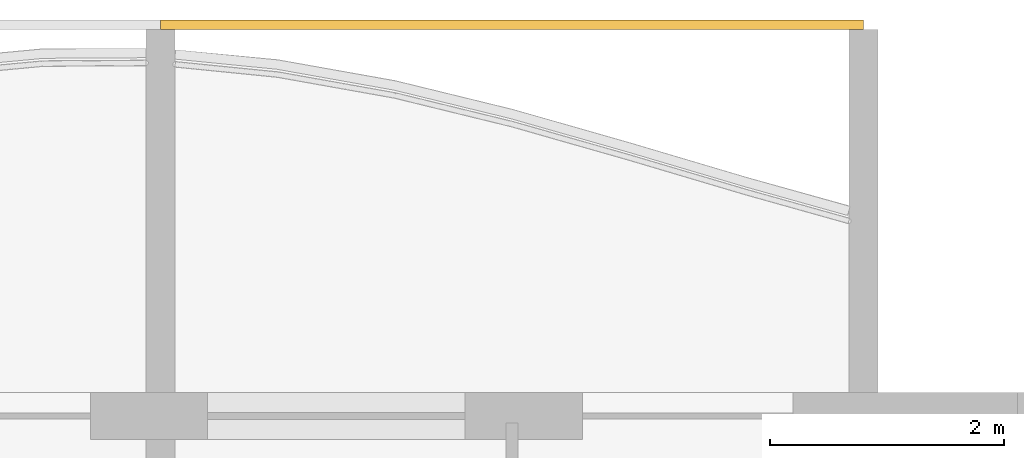
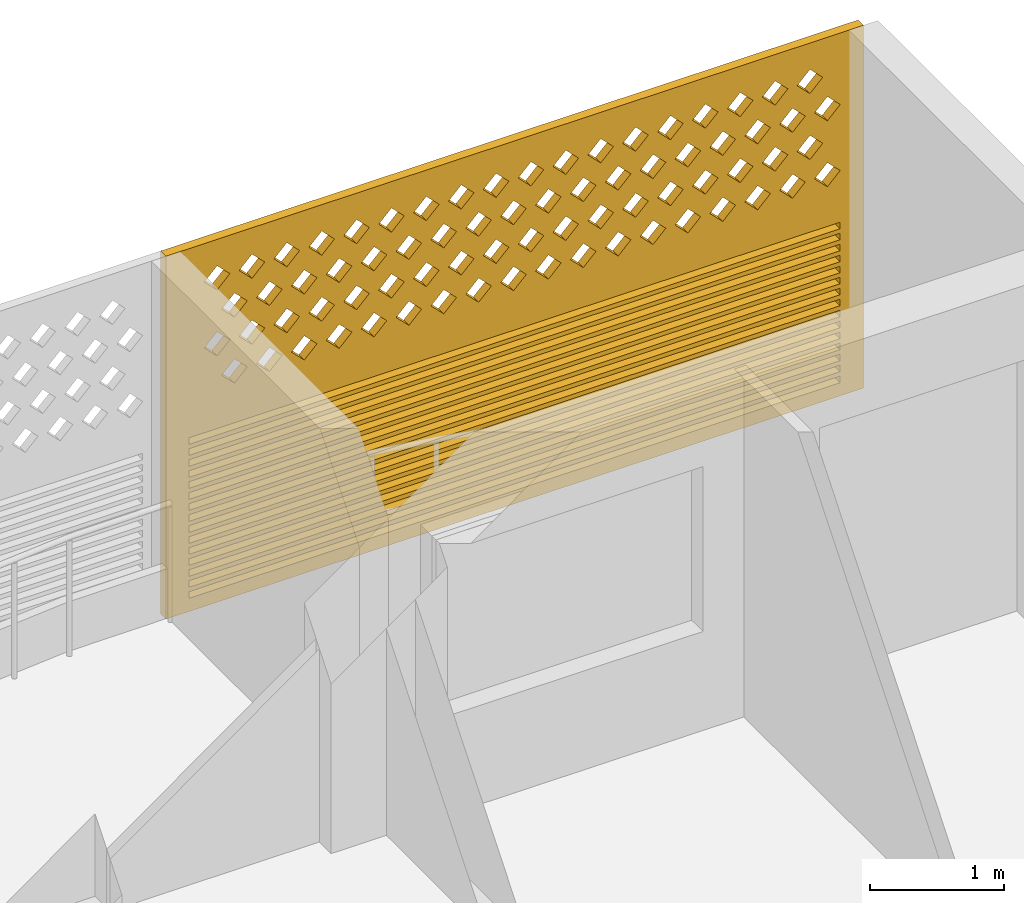
# One storey, part 29 of 29: 1 covering.
"""IFC4 building model written with IfcOpenShell, lengths in metres."""

import ifcopenshell
import ifcopenshell.guid

model = None  # the IFC model being written
_history = None  # IfcOwnerHistory: only IFC2X3 demands one
_inside = {}  # id of a spatial element -> (the spatial element, [elements in it])
_under = {}  # id of a project, library or spatial element -> (it, [spatial elements below it])
_declared = {}  # id of a project -> (the project, [libraries it declares])
_typed = {}  # id of a type object -> (the type object, [elements of that type])
_made_of = {}  # id of a material, layer set ... -> (it, [elements and type objects made of it])


def new_model(schema):
    """Start an empty IFC model of exactly this schema.

    Asked for "IFC4X3", IfcOpenShell would pick the latest addendum, in which some entities
    have other attributes; the version numbers below select the first issue.
    IFC2X3 requires an IfcOwnerHistory on every rooted entity: one is made here for all.
    """
    global model, _history
    if schema == "IFC4X3":
        model = ifcopenshell.file(schema_version=(4, 3, 0, 0))
    else:
        model = ifcopenshell.file(schema=schema)
    _inside.clear()
    _under.clear()
    _declared.clear()
    _typed.clear()
    _made_of.clear()
    _history = None
    if model.schema == "IFC2X3":
        org = make("IfcOrganization", Name="unknown")
        user = make(
            "IfcPersonAndOrganization",
            ThePerson=make("IfcPerson", FamilyName="unknown"),
            TheOrganization=org,
        )
        app = make(
            "IfcApplication",
            ApplicationDeveloper=org,
            Version="unknown",
            ApplicationFullName="unknown",
            ApplicationIdentifier="unknown",
        )
        _history = make(
            "IfcOwnerHistory",
            OwningUser=user,
            OwningApplication=app,
            ChangeAction="ADDED",
            CreationDate=0,
        )
    return model


def make(cls, **values):
    """One entity of the class cls with the attributes given. An attribute that is None is left unset."""
    return model.create_entity(
        cls, **{name: value for name, value in values.items() if value is not None}
    )


def rooted(cls, **values):
    """An entity with a GlobalId (a new one), such as an element, a storey or a relation."""
    return make(cls, GlobalId=ifcopenshell.guid.new(), OwnerHistory=_history, **values)


def si_unit(unit_type, name, prefix=None):
    """IfcSIUnit, for example si_unit("LENGTHUNIT", "METRE", prefix="MILLI")."""
    return make("IfcSIUnit", UnitType=unit_type, Prefix=prefix, Name=name)


def assignment(units):
    """IfcUnitAssignment: the units of a project."""
    return None if units is None else make("IfcUnitAssignment", Units=units)


def point(xyz):
    """IfcCartesianPoint."""
    return None if xyz is None else make("IfcCartesianPoint", Coordinates=xyz)


def direction(xyz):
    """IfcDirection."""
    return None if xyz is None else make("IfcDirection", DirectionRatios=xyz)


def frame(location, z_axis=None, x_axis=None):
    """IfcAxis2Placement3D, a coordinate frame: its origin and axes. An axis left out is left unset."""
    return make(
        "IfcAxis2Placement3D",
        Location=point(location),
        Axis=direction(z_axis),
        RefDirection=direction(x_axis),
    )


def origin():
    """The frame at (0, 0, 0) with its axes left unset."""
    return frame((0.0, 0.0, 0.0))


def place(relative_to, where):
    """IfcLocalPlacement: puts the frame where relative to a parent placement (None: the world)."""
    return make(
        "IfcLocalPlacement", PlacementRelTo=relative_to, RelativePlacement=where
    )


def context(
    kind, dimensions, precision=None, world=None, true_north=None, identifier=None
):
    """IfcGeometricRepresentationContext, for example the 3D "Model" context."""
    return make(
        "IfcGeometricRepresentationContext",
        ContextIdentifier=identifier,
        ContextType=kind,
        CoordinateSpaceDimension=dimensions,
        Precision=precision,
        WorldCoordinateSystem=world,
        TrueNorth=true_north,
    )


def subcontext(parent, identifier, kind, view, scale=None):
    """IfcGeometricRepresentationSubContext, for example "Body" below "Model"."""
    return make(
        "IfcGeometricRepresentationSubContext",
        ContextIdentifier=identifier,
        ContextType=kind,
        ParentContext=parent,
        TargetScale=scale,
        TargetView=view,
    )


def project(units=None, contexts=None):
    """IfcProject with its units and contexts."""
    return rooted(
        "IfcProject",
        Name="project",
        RepresentationContexts=contexts,
        UnitsInContext=assignment(units),
    )


def spatial(cls, under=None, at=None, **own):
    """A site, building, storey or space (cls), placed at a placement, below another one or the project."""
    s = rooted(cls, ObjectPlacement=at, **own)
    if under is not None:
        _under.setdefault(under.id(), (under, []))[1].append(s)
    return s


def polyline(points):
    """IfcPolyline through the points."""
    return make("IfcPolyline", Points=[point(p) for p in points])


def outline(outer, holes=None, kind="AREA"):
    """IfcArbitraryClosedProfileDef: a profile drawn as a closed curve; with holes, ...WithVoids."""
    if holes is None:
        return make("IfcArbitraryClosedProfileDef", ProfileType=kind, OuterCurve=outer)
    return make(
        "IfcArbitraryProfileDefWithVoids",
        ProfileType=kind,
        OuterCurve=outer,
        InnerCurves=holes,
    )


def extrude(swept, where, along, depth):
    """IfcExtrudedAreaSolid: the profile swept, set in the frame where, extruded along a direction by depth."""
    return make(
        "IfcExtrudedAreaSolid",
        SweptArea=swept,
        Position=where,
        ExtrudedDirection=direction(along),
        Depth=depth,
    )


def shape(context_of_items, identifier, shape_type, items):
    """IfcShapeRepresentation: the items that make up one representation, for example the "Body"."""
    return make(
        "IfcShapeRepresentation",
        ContextOfItems=context_of_items,
        RepresentationIdentifier=identifier,
        RepresentationType=shape_type,
        Items=items,
    )


def source(mapping_origin, context_of_items, identifier, shape_type, items):
    """IfcRepresentationMap: a shape defined once, which mapped items show again and again."""
    return make(
        "IfcRepresentationMap",
        MappingOrigin=mapping_origin,
        MappedRepresentation=shape(context_of_items, identifier, shape_type, items),
    )


def transform(
    local_origin,
    x_axis=None,
    y_axis=None,
    z_axis=None,
    scale=None,
    scale2=None,
    scale3=None,
    uniform=True,
):
    """IfcCartesianTransformationOperator3D, or its non-uniform kind. x_axis, y_axis, z_axis: its Axis1, 2, 3."""
    if uniform:
        return make(
            "IfcCartesianTransformationOperator3D",
            Axis1=direction(x_axis),
            Axis2=direction(y_axis),
            LocalOrigin=point(local_origin),
            Scale=scale,
            Axis3=direction(z_axis),
        )
    return make(
        "IfcCartesianTransformationOperator3DnonUniform",
        Axis1=direction(x_axis),
        Axis2=direction(y_axis),
        LocalOrigin=point(local_origin),
        Scale=scale,
        Axis3=direction(z_axis),
        Scale2=scale2,
        Scale3=scale3,
    )


def mapped(mapping_source, mapping_target):
    """IfcMappedItem: shows the shape of a source again, moved by a transform."""
    return make(
        "IfcMappedItem", MappingSource=mapping_source, MappingTarget=mapping_target
    )


def material(Name=None, Category=None):
    """IfcMaterial."""
    return make("IfcMaterial", Name=Name, Category=Category)


def material_profile(
    of_material, cross_section, Name=None, Category=None, Priority=None
):
    """IfcMaterialProfile: a cross section and its material."""
    return make(
        "IfcMaterialProfile",
        Name=Name,
        Material=of_material,
        Profile=cross_section,
        Priority=Priority,
        Category=Category,
    )


def profile_set(profiles, Name=None, composite=None):
    """IfcMaterialProfileSet."""
    return make(
        "IfcMaterialProfileSet",
        Name=Name,
        MaterialProfiles=profiles,
        CompositeProfile=composite,
    )


def made_of(thing, what):
    """Note that an element or type object is made of a material, layer set ...; save() writes the relation."""
    if what is not None:
        _made_of.setdefault(what.id(), (what, []))[1].append(thing)
    return thing


def type_object(cls, material=None, **own):
    """A type object (cls), such as IfcWallType, which elements share."""
    return made_of(rooted(cls, **own), material)


def element(
    cls,
    number,
    at=None,
    inside=None,
    cuts=None,
    type_object=None,
    material=None,
    context=None,
    identifier="Body",
    shape_type=None,
    held_by="IfcProductDefinitionShape",
    body=None,
    shapes=None,
    **own,
):
    """One element of the class cls, such as IfcWall. Its Tag is "e" and its number.

    at: its placement. inside: the storey or other place that contains it. cuts: it is an
    opening in that element (IfcRelVoidsElement). A single representation is given by context,
    identifier, shape_type and body (its items); several are given by shapes. held_by: the class
    of the entity that holds the representations. save() writes the other relations.
    """
    e = rooted(cls, Tag="e%d" % number, ObjectPlacement=at, **own)
    if body is not None:
        shapes = [shape(context, identifier, shape_type, body)]
    if shapes is not None:
        e.Representation = make(held_by, Representations=shapes)
    if inside is not None:
        _inside.setdefault(inside.id(), (inside, []))[1].append(e)
    if cuts is not None:
        rooted(
            "IfcRelVoidsElement", RelatingBuildingElement=cuts, RelatedOpeningElement=e
        )
    if type_object is not None:
        _typed.setdefault(type_object.id(), (type_object, []))[1].append(e)
    return made_of(e, material)


def aggregate(whole, parts):
    """IfcRelAggregates: a whole, such as a stair, and the parts it consists of."""
    return rooted("IfcRelAggregates", RelatingObject=whole, RelatedObjects=parts)


def save(model, path):
    """Write the relations noted so far, then the file.

    IfcRelAggregates (storeys below a building ...), IfcRelContainedInSpatialStructure (elements
    in a storey), IfcRelDefinesByType, IfcRelAssociatesMaterial and IfcRelDeclares: one each for
    every whole, place, type object, material and project.
    """
    for whole, parts in _under.values():
        aggregate(whole, parts)
    for where, things in _inside.values():
        rooted(
            "IfcRelContainedInSpatialStructure",
            RelatedElements=things,
            RelatingStructure=where,
        )
    for kind, things in _typed.values():
        rooted("IfcRelDefinesByType", RelatedObjects=things, RelatingType=kind)
    for what, things in _made_of.values():
        rooted("IfcRelAssociatesMaterial", RelatedObjects=things, RelatingMaterial=what)
    for by, libraries in _declared.values():
        rooted("IfcRelDeclares", RelatingContext=by, RelatedDefinitions=libraries)
    model.write(path)


model = new_model("IFC4")

# Units and contexts
model_context = context("Model", 3, precision=1e-05, world=origin(), true_north=direction((0.0, 1.0)))
body_context = subcontext(model_context, "Body", "Model", "MODEL_VIEW")
ifc_project = project(units=[si_unit("LENGTHUNIT", "METRE"), si_unit("AREAUNIT", "SQUARE_METRE"), si_unit("VOLUMEUNIT", "CUBIC_METRE"), si_unit("PLANEANGLEUNIT", "RADIAN"), si_unit("MASSUNIT", "GRAM", prefix="KILO")], contexts=[model_context])

# Site, building, storey
site_placement = place(None, origin())
site = spatial("IfcSite", under=ifc_project, at=site_placement, CompositionType="ELEMENT")
building_placement = place(site_placement, origin())
building = spatial("IfcBuilding", under=site, at=building_placement, Name="Poui Terraces", CompositionType="ELEMENT")
storey_placement = place(building_placement, frame((0.0, 0.0, 231.300048828125)))
storey = spatial("IfcBuildingStorey", under=building, at=storey_placement, Name="L64", CompositionType="ELEMENT", Elevation=231.300048828125)

# Covering
ifc_material = material(Name="Terracotta screen", Category="masonry")
ifc_material_profile = material_profile(ifc_material, outline(polyline([(-3.0, -1.64990234375), (3.0, -1.64990234375), (3.0, 1.64990234375), (-3.0, 1.64990234375), (-3.0, -1.64990234375)]), holes=[polyline([(-2.800048828125, 0.39990234375), (-2.68994140625, 0.2900390625), (-2.580078125, 0.39990234375), (-2.68994140625, 0.510009765625), (-2.800048828125, 0.39990234375)]), polyline([(-2.5, 0.39990234375), (-2.389892578125, 0.2900390625), (-2.280029296875, 0.39990234375), (-2.389892578125, 0.510009765625), (-2.5, 0.39990234375)]), polyline([(-2.199951171875, 0.39990234375), (-2.090087890625, 0.2900390625), (-1.97998046875, 0.39990234375), (-2.090087890625, 0.510009765625), (-2.199951171875, 0.39990234375)]), polyline([(-1.89990234375, 0.39990234375), (-1.7900390625, 0.2900390625), (-1.679931640625, 0.39990234375), (-1.7900390625, 0.510009765625), (-1.89990234375, 0.39990234375)]), polyline([(-1.60009765625, 0.39990234375), (-1.489990234375, 0.2900390625), (-1.3798828125, 0.39990234375), (-1.489990234375, 0.510009765625), (-1.60009765625, 0.39990234375)]), polyline([(-1.300048828125, 0.39990234375), (-1.18994140625, 0.2900390625), (-1.080078125, 0.39990234375), (-1.18994140625, 0.510009765625), (-1.300048828125, 0.39990234375)]), polyline([(-1.0, 0.39990234375), (-0.889892578125, 0.2900390625), (-0.780029296875, 0.39990234375), (-0.889892578125, 0.510009765625), (-1.0, 0.39990234375)]), polyline([(-0.699951171875, 0.39990234375), (-0.590087890625, 0.2900390625), (-0.47998046875, 0.39990234375), (-0.590087890625, 0.510009765625), (-0.699951171875, 0.39990234375)]), polyline([(-0.39990234375, 0.39990234375), (-0.2900390625, 0.2900390625), (-0.179931640625, 0.39990234375), (-0.2900390625, 0.510009765625), (-0.39990234375, 0.39990234375)]), polyline([(-0.10009765625, 0.39990234375), (0.010009765625, 0.2900390625), (0.1201171875, 0.39990234375), (0.010009765625, 0.510009765625), (-0.10009765625, 0.39990234375)]), polyline([(0.199951171875, 0.39990234375), (0.31005859375, 0.2900390625), (0.419921875, 0.39990234375), (0.31005859375, 0.510009765625), (0.199951171875, 0.39990234375)]), polyline([(0.5, 0.39990234375), (0.610107421875, 0.2900390625), (0.719970703125, 0.39990234375), (0.610107421875, 0.510009765625), (0.5, 0.39990234375)]), polyline([(0.800048828125, 0.39990234375), (0.909912109375, 0.2900390625), (1.02001953125, 0.39990234375), (0.909912109375, 0.510009765625), (0.800048828125, 0.39990234375)]), polyline([(1.10009765625, 0.39990234375), (1.2099609375, 0.2900390625), (1.320068359375, 0.39990234375), (1.2099609375, 0.510009765625), (1.10009765625, 0.39990234375)]), polyline([(1.39990234375, 0.39990234375), (1.510009765625, 0.2900390625), (1.6201171875, 0.39990234375), (1.510009765625, 0.510009765625), (1.39990234375, 0.39990234375)]), polyline([(1.699951171875, 0.39990234375), (1.81005859375, 0.2900390625), (1.919921875, 0.39990234375), (1.81005859375, 0.510009765625), (1.699951171875, 0.39990234375)]), polyline([(2.0, 0.39990234375), (2.110107421875, 0.2900390625), (2.219970703125, 0.39990234375), (2.110107421875, 0.510009765625), (2.0, 0.39990234375)]), polyline([(2.300048828125, 0.39990234375), (2.409912109375, 0.2900390625), (2.52001953125, 0.39990234375), (2.409912109375, 0.510009765625), (2.300048828125, 0.39990234375)]), polyline([(-2.64990234375, 0.699951171875), (-2.5400390625, 0.590087890625), (-2.429931640625, 0.699951171875), (-2.5400390625, 0.81005859375), (-2.64990234375, 0.699951171875)]), polyline([(-2.35009765625, 0.699951171875), (-2.239990234375, 0.590087890625), (-2.1298828125, 0.699951171875), (-2.239990234375, 0.81005859375), (-2.35009765625, 0.699951171875)]), polyline([(-2.050048828125, 0.699951171875), (-1.93994140625, 0.590087890625), (-1.830078125, 0.699951171875), (-1.93994140625, 0.81005859375), (-2.050048828125, 0.699951171875)]), polyline([(-1.75, 0.699951171875), (-1.639892578125, 0.590087890625), (-1.530029296875, 0.699951171875), (-1.639892578125, 0.81005859375), (-1.75, 0.699951171875)]), polyline([(-1.449951171875, 0.699951171875), (-1.340087890625, 0.590087890625), (-1.22998046875, 0.699951171875), (-1.340087890625, 0.81005859375), (-1.449951171875, 0.699951171875)]), polyline([(-1.14990234375, 0.699951171875), (-1.0400390625, 0.590087890625), (-0.929931640625, 0.699951171875), (-1.0400390625, 0.81005859375), (-1.14990234375, 0.699951171875)]), polyline([(-0.85009765625, 0.699951171875), (-0.739990234375, 0.590087890625), (-0.6298828125, 0.699951171875), (-0.739990234375, 0.81005859375), (-0.85009765625, 0.699951171875)]), polyline([(-0.550048828125, 0.699951171875), (-0.43994140625, 0.590087890625), (-0.330078125, 0.699951171875), (-0.43994140625, 0.81005859375), (-0.550048828125, 0.699951171875)]), polyline([(-0.25, 0.699951171875), (-0.139892578125, 0.590087890625), (-0.030029296875, 0.699951171875), (-0.139892578125, 0.81005859375), (-0.25, 0.699951171875)]), polyline([(0.050048828125, 0.699951171875), (0.159912109375, 0.590087890625), (0.27001953125, 0.699951171875), (0.159912109375, 0.81005859375), (0.050048828125, 0.699951171875)]), polyline([(0.35009765625, 0.699951171875), (0.4599609375, 0.590087890625), (0.570068359375, 0.699951171875), (0.4599609375, 0.81005859375), (0.35009765625, 0.699951171875)]), polyline([(0.64990234375, 0.699951171875), (0.760009765625, 0.590087890625), (0.8701171875, 0.699951171875), (0.760009765625, 0.81005859375), (0.64990234375, 0.699951171875)]), polyline([(0.949951171875, 0.699951171875), (1.06005859375, 0.590087890625), (1.169921875, 0.699951171875), (1.06005859375, 0.81005859375), (0.949951171875, 0.699951171875)]), polyline([(1.25, 0.699951171875), (1.360107421875, 0.590087890625), (1.469970703125, 0.699951171875), (1.360107421875, 0.81005859375), (1.25, 0.699951171875)]), polyline([(1.550048828125, 0.699951171875), (1.659912109375, 0.590087890625), (1.77001953125, 0.699951171875), (1.659912109375, 0.81005859375), (1.550048828125, 0.699951171875)]), polyline([(1.85009765625, 0.699951171875), (1.9599609375, 0.590087890625), (2.070068359375, 0.699951171875), (1.9599609375, 0.81005859375), (1.85009765625, 0.699951171875)]), polyline([(2.14990234375, 0.699951171875), (2.260009765625, 0.590087890625), (2.3701171875, 0.699951171875), (2.260009765625, 0.81005859375), (2.14990234375, 0.699951171875)]), polyline([(2.449951171875, 0.699951171875), (2.56005859375, 0.590087890625), (2.669921875, 0.699951171875), (2.56005859375, 0.81005859375), (2.449951171875, 0.699951171875)]), polyline([(-2.800048828125, 1.0), (-2.68994140625, 0.889892578125), (-2.580078125, 1.0), (-2.68994140625, 1.110107421875), (-2.800048828125, 1.0)]), polyline([(-2.5, 1.0), (-2.389892578125, 0.889892578125), (-2.280029296875, 1.0), (-2.389892578125, 1.110107421875), (-2.5, 1.0)]), polyline([(-2.199951171875, 1.0), (-2.090087890625, 0.889892578125), (-1.97998046875, 1.0), (-2.090087890625, 1.110107421875), (-2.199951171875, 1.0)]), polyline([(-1.89990234375, 1.0), (-1.7900390625, 0.889892578125), (-1.679931640625, 1.0), (-1.7900390625, 1.110107421875), (-1.89990234375, 1.0)]), polyline([(-1.60009765625, 1.0), (-1.489990234375, 0.889892578125), (-1.3798828125, 1.0), (-1.489990234375, 1.110107421875), (-1.60009765625, 1.0)]), polyline([(-1.300048828125, 1.0), (-1.18994140625, 0.889892578125), (-1.080078125, 1.0), (-1.18994140625, 1.110107421875), (-1.300048828125, 1.0)]), polyline([(-1.0, 1.0), (-0.889892578125, 0.889892578125), (-0.780029296875, 1.0), (-0.889892578125, 1.110107421875), (-1.0, 1.0)]), polyline([(-0.699951171875, 1.0), (-0.590087890625, 0.889892578125), (-0.47998046875, 1.0), (-0.590087890625, 1.110107421875), (-0.699951171875, 1.0)]), polyline([(-0.39990234375, 1.0), (-0.2900390625, 0.889892578125), (-0.179931640625, 1.0), (-0.2900390625, 1.110107421875), (-0.39990234375, 1.0)]), polyline([(-0.10009765625, 1.0), (0.010009765625, 0.889892578125), (0.1201171875, 1.0), (0.010009765625, 1.110107421875), (-0.10009765625, 1.0)]), polyline([(0.199951171875, 1.0), (0.31005859375, 0.889892578125), (0.419921875, 1.0), (0.31005859375, 1.110107421875), (0.199951171875, 1.0)]), polyline([(0.5, 1.0), (0.610107421875, 0.889892578125), (0.719970703125, 1.0), (0.610107421875, 1.110107421875), (0.5, 1.0)]), polyline([(0.800048828125, 1.0), (0.909912109375, 0.889892578125), (1.02001953125, 1.0), (0.909912109375, 1.110107421875), (0.800048828125, 1.0)]), polyline([(1.10009765625, 1.0), (1.2099609375, 0.889892578125), (1.320068359375, 1.0), (1.2099609375, 1.110107421875), (1.10009765625, 1.0)]), polyline([(1.39990234375, 1.0), (1.510009765625, 0.889892578125), (1.6201171875, 1.0), (1.510009765625, 1.110107421875), (1.39990234375, 1.0)]), polyline([(1.699951171875, 1.0), (1.81005859375, 0.889892578125), (1.919921875, 1.0), (1.81005859375, 1.110107421875), (1.699951171875, 1.0)]), polyline([(2.0, 1.0), (2.110107421875, 0.889892578125), (2.219970703125, 1.0), (2.110107421875, 1.110107421875), (2.0, 1.0)]), polyline([(2.300048828125, 1.0), (2.409912109375, 0.889892578125), (2.52001953125, 1.0), (2.409912109375, 1.110107421875), (2.300048828125, 1.0)]), polyline([(-2.64990234375, 1.300048828125), (-2.5400390625, 1.18994140625), (-2.429931640625, 1.300048828125), (-2.5400390625, 1.409912109375), (-2.64990234375, 1.300048828125)]), polyline([(-2.35009765625, 1.300048828125), (-2.239990234375, 1.18994140625), (-2.1298828125, 1.300048828125), (-2.239990234375, 1.409912109375), (-2.35009765625, 1.300048828125)]), polyline([(-2.050048828125, 1.300048828125), (-1.93994140625, 1.18994140625), (-1.830078125, 1.300048828125), (-1.93994140625, 1.409912109375), (-2.050048828125, 1.300048828125)]), polyline([(-1.75, 1.300048828125), (-1.639892578125, 1.18994140625), (-1.530029296875, 1.300048828125), (-1.639892578125, 1.409912109375), (-1.75, 1.300048828125)]), polyline([(-1.449951171875, 1.300048828125), (-1.340087890625, 1.18994140625), (-1.22998046875, 1.300048828125), (-1.340087890625, 1.409912109375), (-1.449951171875, 1.300048828125)]), polyline([(-1.14990234375, 1.300048828125), (-1.0400390625, 1.18994140625), (-0.929931640625, 1.300048828125), (-1.0400390625, 1.409912109375), (-1.14990234375, 1.300048828125)]), polyline([(-0.85009765625, 1.300048828125), (-0.739990234375, 1.18994140625), (-0.6298828125, 1.300048828125), (-0.739990234375, 1.409912109375), (-0.85009765625, 1.300048828125)]), polyline([(-0.550048828125, 1.300048828125), (-0.43994140625, 1.18994140625), (-0.330078125, 1.300048828125), (-0.43994140625, 1.409912109375), (-0.550048828125, 1.300048828125)]), polyline([(-0.25, 1.300048828125), (-0.139892578125, 1.18994140625), (-0.030029296875, 1.300048828125), (-0.139892578125, 1.409912109375), (-0.25, 1.300048828125)]), polyline([(0.050048828125, 1.300048828125), (0.159912109375, 1.18994140625), (0.27001953125, 1.300048828125), (0.159912109375, 1.409912109375), (0.050048828125, 1.300048828125)]), polyline([(0.35009765625, 1.300048828125), (0.4599609375, 1.18994140625), (0.570068359375, 1.300048828125), (0.4599609375, 1.409912109375), (0.35009765625, 1.300048828125)]), polyline([(0.64990234375, 1.300048828125), (0.760009765625, 1.18994140625), (0.8701171875, 1.300048828125), (0.760009765625, 1.409912109375), (0.64990234375, 1.300048828125)]), polyline([(0.949951171875, 1.300048828125), (1.06005859375, 1.18994140625), (1.169921875, 1.300048828125), (1.06005859375, 1.409912109375), (0.949951171875, 1.300048828125)]), polyline([(1.25, 1.300048828125), (1.360107421875, 1.18994140625), (1.469970703125, 1.300048828125), (1.360107421875, 1.409912109375), (1.25, 1.300048828125)]), polyline([(1.550048828125, 1.300048828125), (1.659912109375, 1.18994140625), (1.77001953125, 1.300048828125), (1.659912109375, 1.409912109375), (1.550048828125, 1.300048828125)]), polyline([(1.85009765625, 1.300048828125), (1.9599609375, 1.18994140625), (2.070068359375, 1.300048828125), (1.9599609375, 1.409912109375), (1.85009765625, 1.300048828125)]), polyline([(2.14990234375, 1.300048828125), (2.260009765625, 1.18994140625), (2.3701171875, 1.300048828125), (2.260009765625, 1.409912109375), (2.14990234375, 1.300048828125)]), polyline([(2.449951171875, 1.300048828125), (2.56005859375, 1.18994140625), (2.669921875, 1.300048828125), (2.56005859375, 1.409912109375), (2.449951171875, 1.300048828125)]), polyline([(-2.800048828125, -1.530029296875), (2.800048828125, -1.530029296875), (2.800048828125, -1.469970703125), (-2.800048828125, -1.469970703125), (-2.800048828125, -1.530029296875)]), polyline([(-2.800048828125, -1.429931640625), (2.800048828125, -1.429931640625), (2.800048828125, -1.3701171875), (-2.800048828125, -1.3701171875), (-2.800048828125, -1.429931640625)]), polyline([(-2.800048828125, -1.330078125), (2.800048828125, -1.330078125), (2.800048828125, -1.27001953125), (-2.800048828125, -1.27001953125), (-2.800048828125, -1.330078125)]), polyline([(-2.800048828125, -1.22998046875), (2.800048828125, -1.22998046875), (2.800048828125, -1.169921875), (-2.800048828125, -1.169921875), (-2.800048828125, -1.22998046875)]), polyline([(-2.800048828125, -1.1298828125), (2.800048828125, -1.1298828125), (2.800048828125, -1.070068359375), (-2.800048828125, -1.070068359375), (-2.800048828125, -1.1298828125)]), polyline([(-2.800048828125, -1.030029296875), (2.800048828125, -1.030029296875), (2.800048828125, -0.969970703125), (-2.800048828125, -0.969970703125), (-2.800048828125, -1.030029296875)]), polyline([(-2.800048828125, -0.929931640625), (2.800048828125, -0.929931640625), (2.800048828125, -0.8701171875), (-2.800048828125, -0.8701171875), (-2.800048828125, -0.929931640625)]), polyline([(-2.800048828125, -0.830078125), (2.800048828125, -0.830078125), (2.800048828125, -0.77001953125), (-2.800048828125, -0.77001953125), (-2.800048828125, -0.830078125)]), polyline([(-2.800048828125, -0.72998046875), (2.800048828125, -0.72998046875), (2.800048828125, -0.669921875), (-2.800048828125, -0.669921875), (-2.800048828125, -0.72998046875)]), polyline([(-2.800048828125, -0.6298828125), (2.800048828125, -0.6298828125), (2.800048828125, -0.570068359375), (-2.800048828125, -0.570068359375), (-2.800048828125, -0.6298828125)]), polyline([(-2.800048828125, -0.530029296875), (2.800048828125, -0.530029296875), (2.800048828125, -0.469970703125), (-2.800048828125, -0.469970703125), (-2.800048828125, -0.530029296875)]), polyline([(-2.800048828125, -0.429931640625), (2.800048828125, -0.429931640625), (2.800048828125, -0.3701171875), (-2.800048828125, -0.3701171875), (-2.800048828125, -0.429931640625)]), polyline([(-2.800048828125, -0.330078125), (2.800048828125, -0.330078125), (2.800048828125, -0.27001953125), (-2.800048828125, -0.27001953125), (-2.800048828125, -0.330078125)]), polyline([(-2.800048828125, -0.22998046875), (2.800048828125, -0.22998046875), (2.800048828125, -0.169921875), (-2.800048828125, -0.169921875), (-2.800048828125, -0.22998046875)]), polyline([(-2.800048828125, -0.1298828125), (2.800048828125, -0.1298828125), (2.800048828125, -0.070068359375), (-2.800048828125, -0.070068359375), (-2.800048828125, -0.1298828125)])]), Name="TERRACOTTA SCREEN AND JALOUSIE LOUVRE 6000X3300")
ifc_profile_set = profile_set([ifc_material_profile], Name="Terracotta screen")
covering_type = type_object("IfcCoveringType", Name="TERRACOTTA SCREEN AND JALOUSIE LOUVRE 6000X3300", PredefinedType="CLADDING", material=ifc_profile_set)
shared_shape = source(origin(), body_context, "Body", "SweptSolid", [
    extrude(outline(polyline([(-3.0, -1.64990234375), (3.0, -1.64990234375), (3.0, 1.64990234375), (-3.0, 1.64990234375), (-3.0, -1.64990234375)]), holes=[polyline([(-2.800048828125, 0.39990234375), (-2.68994140625, 0.2900390625), (-2.580078125, 0.39990234375), (-2.68994140625, 0.510009765625), (-2.800048828125, 0.39990234375)]), polyline([(-2.5, 0.39990234375), (-2.389892578125, 0.2900390625), (-2.280029296875, 0.39990234375), (-2.389892578125, 0.510009765625), (-2.5, 0.39990234375)]), polyline([(-2.199951171875, 0.39990234375), (-2.090087890625, 0.2900390625), (-1.97998046875, 0.39990234375), (-2.090087890625, 0.510009765625), (-2.199951171875, 0.39990234375)]), polyline([(-1.89990234375, 0.39990234375), (-1.7900390625, 0.2900390625), (-1.679931640625, 0.39990234375), (-1.7900390625, 0.510009765625), (-1.89990234375, 0.39990234375)]), polyline([(-1.60009765625, 0.39990234375), (-1.489990234375, 0.2900390625), (-1.3798828125, 0.39990234375), (-1.489990234375, 0.510009765625), (-1.60009765625, 0.39990234375)]), polyline([(-1.300048828125, 0.39990234375), (-1.18994140625, 0.2900390625), (-1.080078125, 0.39990234375), (-1.18994140625, 0.510009765625), (-1.300048828125, 0.39990234375)]), polyline([(-1.0, 0.39990234375), (-0.889892578125, 0.2900390625), (-0.780029296875, 0.39990234375), (-0.889892578125, 0.510009765625), (-1.0, 0.39990234375)]), polyline([(-0.699951171875, 0.39990234375), (-0.590087890625, 0.2900390625), (-0.47998046875, 0.39990234375), (-0.590087890625, 0.510009765625), (-0.699951171875, 0.39990234375)]), polyline([(-0.39990234375, 0.39990234375), (-0.2900390625, 0.2900390625), (-0.179931640625, 0.39990234375), (-0.2900390625, 0.510009765625), (-0.39990234375, 0.39990234375)]), polyline([(-0.10009765625, 0.39990234375), (0.010009765625, 0.2900390625), (0.1201171875, 0.39990234375), (0.010009765625, 0.510009765625), (-0.10009765625, 0.39990234375)]), polyline([(0.199951171875, 0.39990234375), (0.31005859375, 0.2900390625), (0.419921875, 0.39990234375), (0.31005859375, 0.510009765625), (0.199951171875, 0.39990234375)]), polyline([(0.5, 0.39990234375), (0.610107421875, 0.2900390625), (0.719970703125, 0.39990234375), (0.610107421875, 0.510009765625), (0.5, 0.39990234375)]), polyline([(0.800048828125, 0.39990234375), (0.909912109375, 0.2900390625), (1.02001953125, 0.39990234375), (0.909912109375, 0.510009765625), (0.800048828125, 0.39990234375)]), polyline([(1.10009765625, 0.39990234375), (1.2099609375, 0.2900390625), (1.320068359375, 0.39990234375), (1.2099609375, 0.510009765625), (1.10009765625, 0.39990234375)]), polyline([(1.39990234375, 0.39990234375), (1.510009765625, 0.2900390625), (1.6201171875, 0.39990234375), (1.510009765625, 0.510009765625), (1.39990234375, 0.39990234375)]), polyline([(1.699951171875, 0.39990234375), (1.81005859375, 0.2900390625), (1.919921875, 0.39990234375), (1.81005859375, 0.510009765625), (1.699951171875, 0.39990234375)]), polyline([(2.0, 0.39990234375), (2.110107421875, 0.2900390625), (2.219970703125, 0.39990234375), (2.110107421875, 0.510009765625), (2.0, 0.39990234375)]), polyline([(2.300048828125, 0.39990234375), (2.409912109375, 0.2900390625), (2.52001953125, 0.39990234375), (2.409912109375, 0.510009765625), (2.300048828125, 0.39990234375)]), polyline([(-2.64990234375, 0.699951171875), (-2.5400390625, 0.590087890625), (-2.429931640625, 0.699951171875), (-2.5400390625, 0.81005859375), (-2.64990234375, 0.699951171875)]), polyline([(-2.35009765625, 0.699951171875), (-2.239990234375, 0.590087890625), (-2.1298828125, 0.699951171875), (-2.239990234375, 0.81005859375), (-2.35009765625, 0.699951171875)]), polyline([(-2.050048828125, 0.699951171875), (-1.93994140625, 0.590087890625), (-1.830078125, 0.699951171875), (-1.93994140625, 0.81005859375), (-2.050048828125, 0.699951171875)]), polyline([(-1.75, 0.699951171875), (-1.639892578125, 0.590087890625), (-1.530029296875, 0.699951171875), (-1.639892578125, 0.81005859375), (-1.75, 0.699951171875)]), polyline([(-1.449951171875, 0.699951171875), (-1.340087890625, 0.590087890625), (-1.22998046875, 0.699951171875), (-1.340087890625, 0.81005859375), (-1.449951171875, 0.699951171875)]), polyline([(-1.14990234375, 0.699951171875), (-1.0400390625, 0.590087890625), (-0.929931640625, 0.699951171875), (-1.0400390625, 0.81005859375), (-1.14990234375, 0.699951171875)]), polyline([(-0.85009765625, 0.699951171875), (-0.739990234375, 0.590087890625), (-0.6298828125, 0.699951171875), (-0.739990234375, 0.81005859375), (-0.85009765625, 0.699951171875)]), polyline([(-0.550048828125, 0.699951171875), (-0.43994140625, 0.590087890625), (-0.330078125, 0.699951171875), (-0.43994140625, 0.81005859375), (-0.550048828125, 0.699951171875)]), polyline([(-0.25, 0.699951171875), (-0.139892578125, 0.590087890625), (-0.030029296875, 0.699951171875), (-0.139892578125, 0.81005859375), (-0.25, 0.699951171875)]), polyline([(0.050048828125, 0.699951171875), (0.159912109375, 0.590087890625), (0.27001953125, 0.699951171875), (0.159912109375, 0.81005859375), (0.050048828125, 0.699951171875)]), polyline([(0.35009765625, 0.699951171875), (0.4599609375, 0.590087890625), (0.570068359375, 0.699951171875), (0.4599609375, 0.81005859375), (0.35009765625, 0.699951171875)]), polyline([(0.64990234375, 0.699951171875), (0.760009765625, 0.590087890625), (0.8701171875, 0.699951171875), (0.760009765625, 0.81005859375), (0.64990234375, 0.699951171875)]), polyline([(0.949951171875, 0.699951171875), (1.06005859375, 0.590087890625), (1.169921875, 0.699951171875), (1.06005859375, 0.81005859375), (0.949951171875, 0.699951171875)]), polyline([(1.25, 0.699951171875), (1.360107421875, 0.590087890625), (1.469970703125, 0.699951171875), (1.360107421875, 0.81005859375), (1.25, 0.699951171875)]), polyline([(1.550048828125, 0.699951171875), (1.659912109375, 0.590087890625), (1.77001953125, 0.699951171875), (1.659912109375, 0.81005859375), (1.550048828125, 0.699951171875)]), polyline([(1.85009765625, 0.699951171875), (1.9599609375, 0.590087890625), (2.070068359375, 0.699951171875), (1.9599609375, 0.81005859375), (1.85009765625, 0.699951171875)]), polyline([(2.14990234375, 0.699951171875), (2.260009765625, 0.590087890625), (2.3701171875, 0.699951171875), (2.260009765625, 0.81005859375), (2.14990234375, 0.699951171875)]), polyline([(2.449951171875, 0.699951171875), (2.56005859375, 0.590087890625), (2.669921875, 0.699951171875), (2.56005859375, 0.81005859375), (2.449951171875, 0.699951171875)]), polyline([(-2.800048828125, 1.0), (-2.68994140625, 0.889892578125), (-2.580078125, 1.0), (-2.68994140625, 1.110107421875), (-2.800048828125, 1.0)]), polyline([(-2.5, 1.0), (-2.389892578125, 0.889892578125), (-2.280029296875, 1.0), (-2.389892578125, 1.110107421875), (-2.5, 1.0)]), polyline([(-2.199951171875, 1.0), (-2.090087890625, 0.889892578125), (-1.97998046875, 1.0), (-2.090087890625, 1.110107421875), (-2.199951171875, 1.0)]), polyline([(-1.89990234375, 1.0), (-1.7900390625, 0.889892578125), (-1.679931640625, 1.0), (-1.7900390625, 1.110107421875), (-1.89990234375, 1.0)]), polyline([(-1.60009765625, 1.0), (-1.489990234375, 0.889892578125), (-1.3798828125, 1.0), (-1.489990234375, 1.110107421875), (-1.60009765625, 1.0)]), polyline([(-1.300048828125, 1.0), (-1.18994140625, 0.889892578125), (-1.080078125, 1.0), (-1.18994140625, 1.110107421875), (-1.300048828125, 1.0)]), polyline([(-1.0, 1.0), (-0.889892578125, 0.889892578125), (-0.780029296875, 1.0), (-0.889892578125, 1.110107421875), (-1.0, 1.0)]), polyline([(-0.699951171875, 1.0), (-0.590087890625, 0.889892578125), (-0.47998046875, 1.0), (-0.590087890625, 1.110107421875), (-0.699951171875, 1.0)]), polyline([(-0.39990234375, 1.0), (-0.2900390625, 0.889892578125), (-0.179931640625, 1.0), (-0.2900390625, 1.110107421875), (-0.39990234375, 1.0)]), polyline([(-0.10009765625, 1.0), (0.010009765625, 0.889892578125), (0.1201171875, 1.0), (0.010009765625, 1.110107421875), (-0.10009765625, 1.0)]), polyline([(0.199951171875, 1.0), (0.31005859375, 0.889892578125), (0.419921875, 1.0), (0.31005859375, 1.110107421875), (0.199951171875, 1.0)]), polyline([(0.5, 1.0), (0.610107421875, 0.889892578125), (0.719970703125, 1.0), (0.610107421875, 1.110107421875), (0.5, 1.0)]), polyline([(0.800048828125, 1.0), (0.909912109375, 0.889892578125), (1.02001953125, 1.0), (0.909912109375, 1.110107421875), (0.800048828125, 1.0)]), polyline([(1.10009765625, 1.0), (1.2099609375, 0.889892578125), (1.320068359375, 1.0), (1.2099609375, 1.110107421875), (1.10009765625, 1.0)]), polyline([(1.39990234375, 1.0), (1.510009765625, 0.889892578125), (1.6201171875, 1.0), (1.510009765625, 1.110107421875), (1.39990234375, 1.0)]), polyline([(1.699951171875, 1.0), (1.81005859375, 0.889892578125), (1.919921875, 1.0), (1.81005859375, 1.110107421875), (1.699951171875, 1.0)]), polyline([(2.0, 1.0), (2.110107421875, 0.889892578125), (2.219970703125, 1.0), (2.110107421875, 1.110107421875), (2.0, 1.0)]), polyline([(2.300048828125, 1.0), (2.409912109375, 0.889892578125), (2.52001953125, 1.0), (2.409912109375, 1.110107421875), (2.300048828125, 1.0)]), polyline([(-2.64990234375, 1.300048828125), (-2.5400390625, 1.18994140625), (-2.429931640625, 1.300048828125), (-2.5400390625, 1.409912109375), (-2.64990234375, 1.300048828125)]), polyline([(-2.35009765625, 1.300048828125), (-2.239990234375, 1.18994140625), (-2.1298828125, 1.300048828125), (-2.239990234375, 1.409912109375), (-2.35009765625, 1.300048828125)]), polyline([(-2.050048828125, 1.300048828125), (-1.93994140625, 1.18994140625), (-1.830078125, 1.300048828125), (-1.93994140625, 1.409912109375), (-2.050048828125, 1.300048828125)]), polyline([(-1.75, 1.300048828125), (-1.639892578125, 1.18994140625), (-1.530029296875, 1.300048828125), (-1.639892578125, 1.409912109375), (-1.75, 1.300048828125)]), polyline([(-1.449951171875, 1.300048828125), (-1.340087890625, 1.18994140625), (-1.22998046875, 1.300048828125), (-1.340087890625, 1.409912109375), (-1.449951171875, 1.300048828125)]), polyline([(-1.14990234375, 1.300048828125), (-1.0400390625, 1.18994140625), (-0.929931640625, 1.300048828125), (-1.0400390625, 1.409912109375), (-1.14990234375, 1.300048828125)]), polyline([(-0.85009765625, 1.300048828125), (-0.739990234375, 1.18994140625), (-0.6298828125, 1.300048828125), (-0.739990234375, 1.409912109375), (-0.85009765625, 1.300048828125)]), polyline([(-0.550048828125, 1.300048828125), (-0.43994140625, 1.18994140625), (-0.330078125, 1.300048828125), (-0.43994140625, 1.409912109375), (-0.550048828125, 1.300048828125)]), polyline([(-0.25, 1.300048828125), (-0.139892578125, 1.18994140625), (-0.030029296875, 1.300048828125), (-0.139892578125, 1.409912109375), (-0.25, 1.300048828125)]), polyline([(0.050048828125, 1.300048828125), (0.159912109375, 1.18994140625), (0.27001953125, 1.300048828125), (0.159912109375, 1.409912109375), (0.050048828125, 1.300048828125)]), polyline([(0.35009765625, 1.300048828125), (0.4599609375, 1.18994140625), (0.570068359375, 1.300048828125), (0.4599609375, 1.409912109375), (0.35009765625, 1.300048828125)]), polyline([(0.64990234375, 1.300048828125), (0.760009765625, 1.18994140625), (0.8701171875, 1.300048828125), (0.760009765625, 1.409912109375), (0.64990234375, 1.300048828125)]), polyline([(0.949951171875, 1.300048828125), (1.06005859375, 1.18994140625), (1.169921875, 1.300048828125), (1.06005859375, 1.409912109375), (0.949951171875, 1.300048828125)]), polyline([(1.25, 1.300048828125), (1.360107421875, 1.18994140625), (1.469970703125, 1.300048828125), (1.360107421875, 1.409912109375), (1.25, 1.300048828125)]), polyline([(1.550048828125, 1.300048828125), (1.659912109375, 1.18994140625), (1.77001953125, 1.300048828125), (1.659912109375, 1.409912109375), (1.550048828125, 1.300048828125)]), polyline([(1.85009765625, 1.300048828125), (1.9599609375, 1.18994140625), (2.070068359375, 1.300048828125), (1.9599609375, 1.409912109375), (1.85009765625, 1.300048828125)]), polyline([(2.14990234375, 1.300048828125), (2.260009765625, 1.18994140625), (2.3701171875, 1.300048828125), (2.260009765625, 1.409912109375), (2.14990234375, 1.300048828125)]), polyline([(2.449951171875, 1.300048828125), (2.56005859375, 1.18994140625), (2.669921875, 1.300048828125), (2.56005859375, 1.409912109375), (2.449951171875, 1.300048828125)]), polyline([(-2.800048828125, -1.530029296875), (2.800048828125, -1.530029296875), (2.800048828125, -1.469970703125), (-2.800048828125, -1.469970703125), (-2.800048828125, -1.530029296875)]), polyline([(-2.800048828125, -1.429931640625), (2.800048828125, -1.429931640625), (2.800048828125, -1.3701171875), (-2.800048828125, -1.3701171875), (-2.800048828125, -1.429931640625)]), polyline([(-2.800048828125, -1.330078125), (2.800048828125, -1.330078125), (2.800048828125, -1.27001953125), (-2.800048828125, -1.27001953125), (-2.800048828125, -1.330078125)]), polyline([(-2.800048828125, -1.22998046875), (2.800048828125, -1.22998046875), (2.800048828125, -1.169921875), (-2.800048828125, -1.169921875), (-2.800048828125, -1.22998046875)]), polyline([(-2.800048828125, -1.1298828125), (2.800048828125, -1.1298828125), (2.800048828125, -1.070068359375), (-2.800048828125, -1.070068359375), (-2.800048828125, -1.1298828125)]), polyline([(-2.800048828125, -1.030029296875), (2.800048828125, -1.030029296875), (2.800048828125, -0.969970703125), (-2.800048828125, -0.969970703125), (-2.800048828125, -1.030029296875)]), polyline([(-2.800048828125, -0.929931640625), (2.800048828125, -0.929931640625), (2.800048828125, -0.8701171875), (-2.800048828125, -0.8701171875), (-2.800048828125, -0.929931640625)]), polyline([(-2.800048828125, -0.830078125), (2.800048828125, -0.830078125), (2.800048828125, -0.77001953125), (-2.800048828125, -0.77001953125), (-2.800048828125, -0.830078125)]), polyline([(-2.800048828125, -0.72998046875), (2.800048828125, -0.72998046875), (2.800048828125, -0.669921875), (-2.800048828125, -0.669921875), (-2.800048828125, -0.72998046875)]), polyline([(-2.800048828125, -0.6298828125), (2.800048828125, -0.6298828125), (2.800048828125, -0.570068359375), (-2.800048828125, -0.570068359375), (-2.800048828125, -0.6298828125)]), polyline([(-2.800048828125, -0.530029296875), (2.800048828125, -0.530029296875), (2.800048828125, -0.469970703125), (-2.800048828125, -0.469970703125), (-2.800048828125, -0.530029296875)]), polyline([(-2.800048828125, -0.429931640625), (2.800048828125, -0.429931640625), (2.800048828125, -0.3701171875), (-2.800048828125, -0.3701171875), (-2.800048828125, -0.429931640625)]), polyline([(-2.800048828125, -0.330078125), (2.800048828125, -0.330078125), (2.800048828125, -0.27001953125), (-2.800048828125, -0.27001953125), (-2.800048828125, -0.330078125)]), polyline([(-2.800048828125, -0.22998046875), (2.800048828125, -0.22998046875), (2.800048828125, -0.169921875), (-2.800048828125, -0.169921875), (-2.800048828125, -0.22998046875)]), polyline([(-2.800048828125, -0.1298828125), (2.800048828125, -0.1298828125), (2.800048828125, -0.070068359375), (-2.800048828125, -0.070068359375), (-2.800048828125, -0.1298828125)])]), origin(), (0.0, 0.0, 1.0), 0.080078125),
])
covering_placement = place(storey_placement, frame((75.0, 44.5, 1.449951171875), z_axis=(0.0, 1.0, 0.0), x_axis=(-1.0, 0.0, 0.0)))
element("IfcCovering", 1, at=covering_placement, inside=storey, type_object=covering_type, Name="SOLAR SCREEN AND JALOUSIE LOUVRE", PredefinedType="CLADDING", context=body_context, shape_type="MappedRepresentation", body=[
    mapped(shared_shape, transform((0.0, 0.0, 0.0))),
])

save(model, "model.ifc")
